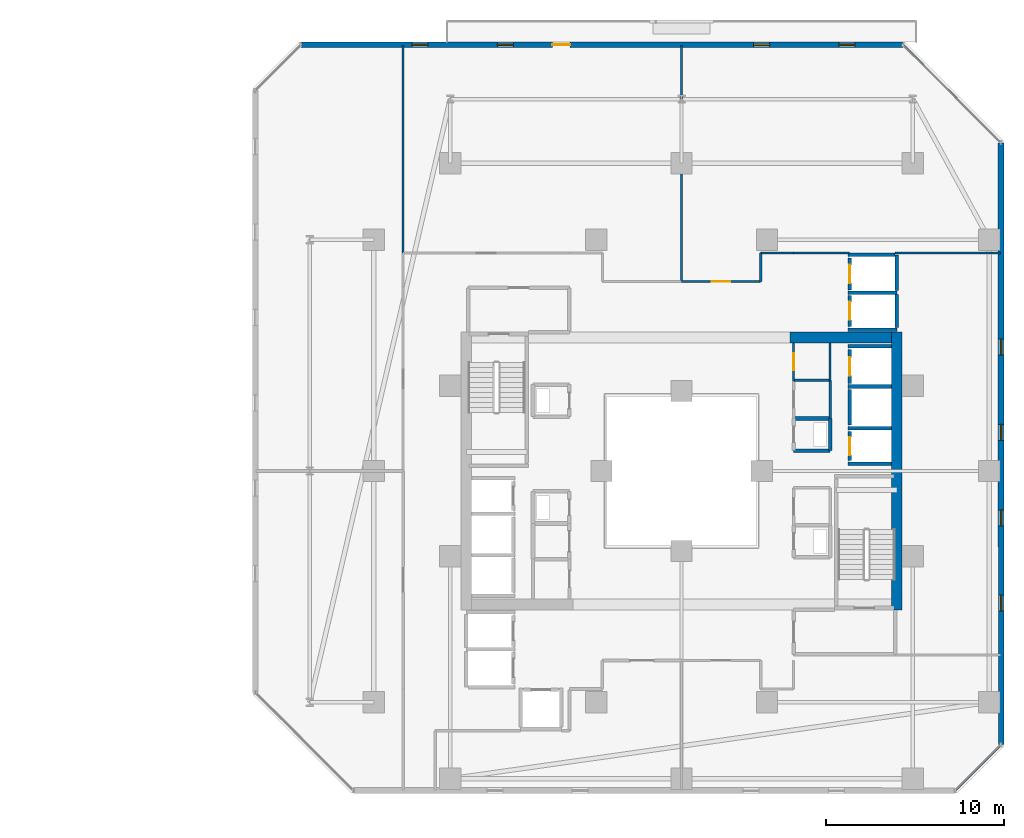
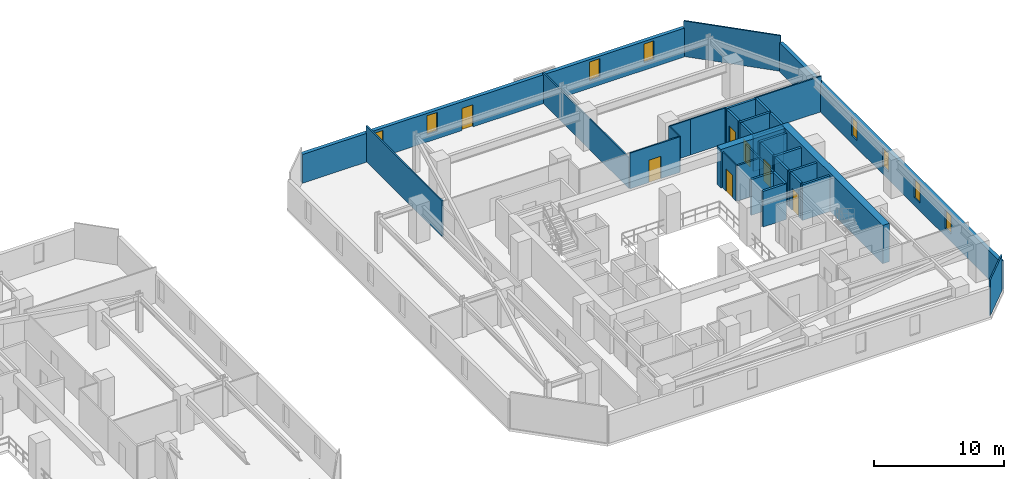
# One storey, part 22 of 29: 34 walls, 8 windows, 7 doors, 15 openings.
"""IFC4 building model written with IfcOpenShell, lengths in metres."""

import ifcopenshell
import ifcopenshell.guid

model = None  # the IFC model being written
_history = None  # IfcOwnerHistory: only IFC2X3 demands one
_inside = {}  # id of a spatial element -> (the spatial element, [elements in it])
_under = {}  # id of a project, library or spatial element -> (it, [spatial elements below it])
_declared = {}  # id of a project -> (the project, [libraries it declares])
_typed = {}  # id of a type object -> (the type object, [elements of that type])
_made_of = {}  # id of a material, layer set ... -> (it, [elements and type objects made of it])


def new_model(schema):
    """Start an empty IFC model of exactly this schema.

    Asked for "IFC4X3", IfcOpenShell would pick the latest addendum, in which some entities
    have other attributes; the version numbers below select the first issue.
    IFC2X3 requires an IfcOwnerHistory on every rooted entity: one is made here for all.
    """
    global model, _history
    if schema == "IFC4X3":
        model = ifcopenshell.file(schema_version=(4, 3, 0, 0))
    else:
        model = ifcopenshell.file(schema=schema)
    _inside.clear()
    _under.clear()
    _declared.clear()
    _typed.clear()
    _made_of.clear()
    _history = None
    if model.schema == "IFC2X3":
        org = make("IfcOrganization", Name="unknown")
        user = make(
            "IfcPersonAndOrganization",
            ThePerson=make("IfcPerson", FamilyName="unknown"),
            TheOrganization=org,
        )
        app = make(
            "IfcApplication",
            ApplicationDeveloper=org,
            Version="unknown",
            ApplicationFullName="unknown",
            ApplicationIdentifier="unknown",
        )
        _history = make(
            "IfcOwnerHistory",
            OwningUser=user,
            OwningApplication=app,
            ChangeAction="ADDED",
            CreationDate=0,
        )
    return model


def make(cls, **values):
    """One entity of the class cls with the attributes given. An attribute that is None is left unset."""
    return model.create_entity(
        cls, **{name: value for name, value in values.items() if value is not None}
    )


def rooted(cls, **values):
    """An entity with a GlobalId (a new one), such as an element, a storey or a relation."""
    return make(cls, GlobalId=ifcopenshell.guid.new(), OwnerHistory=_history, **values)


def si_unit(unit_type, name, prefix=None):
    """IfcSIUnit, for example si_unit("LENGTHUNIT", "METRE", prefix="MILLI")."""
    return make("IfcSIUnit", UnitType=unit_type, Prefix=prefix, Name=name)


def assignment(units):
    """IfcUnitAssignment: the units of a project."""
    return None if units is None else make("IfcUnitAssignment", Units=units)


def point(xyz):
    """IfcCartesianPoint."""
    return None if xyz is None else make("IfcCartesianPoint", Coordinates=xyz)


def direction(xyz):
    """IfcDirection."""
    return None if xyz is None else make("IfcDirection", DirectionRatios=xyz)


def frame(location, z_axis=None, x_axis=None):
    """IfcAxis2Placement3D, a coordinate frame: its origin and axes. An axis left out is left unset."""
    return make(
        "IfcAxis2Placement3D",
        Location=point(location),
        Axis=direction(z_axis),
        RefDirection=direction(x_axis),
    )


def frame_2d(location, x_axis=None):
    """IfcAxis2Placement2D, a coordinate frame in the plane: its origin and x axis."""
    return make(
        "IfcAxis2Placement2D", Location=point(location), RefDirection=direction(x_axis)
    )


def origin():
    """The frame at (0, 0, 0) with its axes left unset."""
    return frame((0.0, 0.0, 0.0))


def place(relative_to, where):
    """IfcLocalPlacement: puts the frame where relative to a parent placement (None: the world)."""
    return make(
        "IfcLocalPlacement", PlacementRelTo=relative_to, RelativePlacement=where
    )


def context(
    kind, dimensions, precision=None, world=None, true_north=None, identifier=None
):
    """IfcGeometricRepresentationContext, for example the 3D "Model" context."""
    return make(
        "IfcGeometricRepresentationContext",
        ContextIdentifier=identifier,
        ContextType=kind,
        CoordinateSpaceDimension=dimensions,
        Precision=precision,
        WorldCoordinateSystem=world,
        TrueNorth=true_north,
    )


def subcontext(parent, identifier, kind, view, scale=None):
    """IfcGeometricRepresentationSubContext, for example "Body" below "Model"."""
    return make(
        "IfcGeometricRepresentationSubContext",
        ContextIdentifier=identifier,
        ContextType=kind,
        ParentContext=parent,
        TargetScale=scale,
        TargetView=view,
    )


def project(units=None, contexts=None):
    """IfcProject with its units and contexts."""
    return rooted(
        "IfcProject",
        Name="project",
        RepresentationContexts=contexts,
        UnitsInContext=assignment(units),
    )


def spatial(cls, under=None, at=None, **own):
    """A site, building, storey or space (cls), placed at a placement, below another one or the project."""
    s = rooted(cls, ObjectPlacement=at, **own)
    if under is not None:
        _under.setdefault(under.id(), (under, []))[1].append(s)
    return s


def profile(cls, at=None, kind="AREA", **sizes):
    """A parametric profile (cls). Its sizes go by their IFC names, for example OverallWidth=200.0."""
    return make(cls, ProfileType=kind, Position=at, **sizes)


def rectangle(**sizes):
    """IfcRectangleProfileDef."""
    return profile("IfcRectangleProfileDef", **sizes)


def extrude(swept, where, along, depth):
    """IfcExtrudedAreaSolid: the profile swept, set in the frame where, extruded along a direction by depth."""
    return make(
        "IfcExtrudedAreaSolid",
        SweptArea=swept,
        Position=where,
        ExtrudedDirection=direction(along),
        Depth=depth,
    )


def shape(context_of_items, identifier, shape_type, items):
    """IfcShapeRepresentation: the items that make up one representation, for example the "Body"."""
    return make(
        "IfcShapeRepresentation",
        ContextOfItems=context_of_items,
        RepresentationIdentifier=identifier,
        RepresentationType=shape_type,
        Items=items,
    )


def material(Name=None, Category=None):
    """IfcMaterial."""
    return make("IfcMaterial", Name=Name, Category=Category)


def layer(
    of_material, thickness, ventilated=None, Name=None, Category=None, Priority=None
):
    """IfcMaterialLayer: one layer of a wall or slab, of a material (None: an air gap)."""
    return make(
        "IfcMaterialLayer",
        Material=of_material,
        LayerThickness=thickness,
        IsVentilated=ventilated,
        Name=Name,
        Category=Category,
        Priority=Priority,
    )


def layer_set(layers, Name=None):
    """IfcMaterialLayerSet."""
    return make("IfcMaterialLayerSet", MaterialLayers=layers, LayerSetName=Name)


def made_of(thing, what):
    """Note that an element or type object is made of a material, layer set ...; save() writes the relation."""
    if what is not None:
        _made_of.setdefault(what.id(), (what, []))[1].append(thing)
    return thing


def type_object(cls, material=None, **own):
    """A type object (cls), such as IfcWallType, which elements share."""
    return made_of(rooted(cls, **own), material)


def element(
    cls,
    number,
    at=None,
    inside=None,
    cuts=None,
    type_object=None,
    material=None,
    context=None,
    identifier="Body",
    shape_type=None,
    held_by="IfcProductDefinitionShape",
    body=None,
    shapes=None,
    **own,
):
    """One element of the class cls, such as IfcWall. Its Tag is "e" and its number.

    at: its placement. inside: the storey or other place that contains it. cuts: it is an
    opening in that element (IfcRelVoidsElement). A single representation is given by context,
    identifier, shape_type and body (its items); several are given by shapes. held_by: the class
    of the entity that holds the representations. save() writes the other relations.
    """
    e = rooted(cls, Tag="e%d" % number, ObjectPlacement=at, **own)
    if body is not None:
        shapes = [shape(context, identifier, shape_type, body)]
    if shapes is not None:
        e.Representation = make(held_by, Representations=shapes)
    if inside is not None:
        _inside.setdefault(inside.id(), (inside, []))[1].append(e)
    if cuts is not None:
        rooted(
            "IfcRelVoidsElement", RelatingBuildingElement=cuts, RelatedOpeningElement=e
        )
    if type_object is not None:
        _typed.setdefault(type_object.id(), (type_object, []))[1].append(e)
    return made_of(e, material)


def fill(opening, filler):
    """IfcRelFillsElement: the door or window that sits in an opening."""
    return rooted(
        "IfcRelFillsElement",
        RelatingOpeningElement=opening,
        RelatedBuildingElement=filler,
    )


def aggregate(whole, parts):
    """IfcRelAggregates: a whole, such as a stair, and the parts it consists of."""
    return rooted("IfcRelAggregates", RelatingObject=whole, RelatedObjects=parts)


def save(model, path):
    """Write the relations noted so far, then the file.

    IfcRelAggregates (storeys below a building ...), IfcRelContainedInSpatialStructure (elements
    in a storey), IfcRelDefinesByType, IfcRelAssociatesMaterial and IfcRelDeclares: one each for
    every whole, place, type object, material and project.
    """
    for whole, parts in _under.values():
        aggregate(whole, parts)
    for where, things in _inside.values():
        rooted(
            "IfcRelContainedInSpatialStructure",
            RelatedElements=things,
            RelatingStructure=where,
        )
    for kind, things in _typed.values():
        rooted("IfcRelDefinesByType", RelatedObjects=things, RelatingType=kind)
    for what, things in _made_of.values():
        rooted("IfcRelAssociatesMaterial", RelatedObjects=things, RelatingMaterial=what)
    for by, libraries in _declared.values():
        rooted("IfcRelDeclares", RelatingContext=by, RelatedDefinitions=libraries)
    model.write(path)


model = new_model("IFC4")

# Units and contexts
model_context = context("Model", 3, precision=1e-05, world=origin(), true_north=direction((0.0, 1.0)))
body_context = subcontext(model_context, "Body", "Model", "MODEL_VIEW")
ifc_project = project(units=[si_unit("LENGTHUNIT", "METRE"), si_unit("AREAUNIT", "SQUARE_METRE"), si_unit("VOLUMEUNIT", "CUBIC_METRE"), si_unit("PLANEANGLEUNIT", "RADIAN"), si_unit("MASSUNIT", "GRAM", prefix="KILO")], contexts=[model_context])

# Site, building, storey
site_placement = place(None, origin())
site = spatial("IfcSite", under=ifc_project, at=site_placement, CompositionType="ELEMENT")
building_placement = place(site_placement, origin())
building = spatial("IfcBuilding", under=site, at=building_placement, Name="Thornwick Lancets Civic Towers", CompositionType="ELEMENT")
storey_placement = place(building_placement, frame((0.0, 0.0, 83.699951171875)))
storey = spatial("IfcBuildingStorey", under=building, at=storey_placement, Name="L21", CompositionType="ELEMENT", Elevation=83.699951171875)

# Wall, opening, door
ifc_material_1 = material(Name="Concrete blockwork C40/50", Category="masonry")
ifc_layer_1 = layer(ifc_material_1, 0.199951171875, Name="Concrete blockwork C40/50")
ifc_layer_set_1 = layer_set([ifc_layer_1], Name="Concrete blockwork C40/50")
wall_type_1 = type_object("IfcWallType", Name="WALL_COMP_200", PredefinedType="STANDARD", material=ifc_layer_set_1)
wall_1_placement = place(storey_placement, frame((97.949951171875, 29.219970703125, 0.0), z_axis=(0.0, 0.0, 1.0), x_axis=(0.0, -1.0, 0.0)))
wall_1 = element("IfcWall", 1, at=wall_1_placement, inside=storey, type_object=wall_type_1, Name="L21 Hoistway Front Wall FL-B1", PredefinedType="STANDARD", context=body_context, shape_type="SweptSolid", body=[
    extrude(rectangle(XDim=1.639892578125, YDim=0.199951171875, at=frame_2d((0.81982421875, 0.0))), origin(), (0.0, 0.0, 1.0), 3.340087890625),
])
opening_1_placement = place(wall_1_placement, frame((0.31005859375, 0.0, 0.0)))
opening_1 = element("IfcOpeningElement", 2, at=opening_1_placement, cuts=wall_1, Name="Opening LD-FL-B1", PredefinedType="OPENING", context=body_context, shape_type="SweptSolid", body=[
    extrude(rectangle(XDim=1.02001953125, YDim=2.06005859375, at=frame_2d((0.510009765625, 1.030029296875))), frame((0.0, 0.10986328125, 0.0), z_axis=(0.0, -1.0, 0.0), x_axis=(1.0, 0.0, 0.0)), (0.0, 0.0, 1.0), 0.219970703125),
])
ifc_material_2 = material(Name="Brushed bronze stainless steel", Category="steel")
door_type_1 = type_object("IfcDoorType", Name="DOOR_LIFT_SLIDE", OperationType="SLIDING_TO_LEFT", PredefinedType="DOOR", material=ifc_material_2)
door_1_placement = place(opening_1_placement, origin())
door_1 = element("IfcDoor", 3, at=door_1_placement, inside=storey, type_object=door_type_1, Name="L21 Sliding Lift Landing Door LD-FL-B1", OperationType="SLIDING_TO_LEFT", OverallHeight=2.06005859375, OverallWidth=1.02001953125, PredefinedType="DOOR", context=body_context, shape_type="SweptSolid", body=[
    extrude(rectangle(XDim=1.02001953125, YDim=2.06005859375, at=frame_2d((0.510009765625, 1.030029296875))), frame((0.0, 0.02490234375, 0.0), z_axis=(0.0, -1.0, 0.0), x_axis=(1.0, 0.0, 0.0)), (0.0, 0.0, 1.0), 0.050048828125),
])
fill(opening_1, door_1)

# Wall
wall_2_placement = place(storey_placement, frame((97.949951171875, 31.570068359375, 0.0), z_axis=(0.0, 0.0, 1.0), x_axis=(0.0, -1.0, 0.0)))
element("IfcWall", 4, at=wall_2_placement, inside=storey, type_object=wall_type_1, Name="L21 Hoistway Front Wall PL-BH1", PredefinedType="STANDARD", context=body_context, shape_type="SweptSolid", body=[
    extrude(rectangle(XDim=1.989990234375, YDim=0.199951171875, at=frame_2d((0.9951171875, 0.0))), origin(), (0.0, 0.0, 1.0), 3.340087890625),
])

# Wall, opening, door
wall_3_placement = place(storey_placement, frame((97.949951171875, 33.820068359375, 0.0), z_axis=(0.0, 0.0, 1.0), x_axis=(0.0, -1.0, 0.0)))
wall_3 = element("IfcWall", 5, at=wall_3_placement, inside=storey, type_object=wall_type_1, Name="L21 Hoistway Front Wall PL-BL1", PredefinedType="STANDARD", context=body_context, shape_type="SweptSolid", body=[
    extrude(rectangle(XDim=1.89013671875, YDim=0.199951171875, at=frame_2d((0.945068359375, 0.0))), origin(), (0.0, 0.0, 1.0), 3.340087890625),
])
opening_2_placement = place(wall_3_placement, frame((0.43505859375, 0.0, 0.0)))
opening_2 = element("IfcOpeningElement", 6, at=opening_2_placement, cuts=wall_3, Name="Opening LD-PL-BL1", PredefinedType="OPENING", context=body_context, shape_type="SweptSolid", body=[
    extrude(rectangle(XDim=1.02001953125, YDim=2.06005859375, at=frame_2d((0.510009765625, 1.030029296875))), frame((0.0, 0.10986328125, 0.0), z_axis=(0.0, -1.0, 0.0), x_axis=(1.0, 0.0, 0.0)), (0.0, 0.0, 1.0), 0.219970703125),
])
door_2_placement = place(opening_2_placement, origin())
door_2 = element("IfcDoor", 7, at=door_2_placement, inside=storey, type_object=door_type_1, Name="L21 Sliding Lift Landing Door LD-PL-BL1", OperationType="SLIDING_TO_LEFT", OverallHeight=2.06005859375, OverallWidth=1.02001953125, PredefinedType="DOOR", context=body_context, shape_type="SweptSolid", body=[
    extrude(rectangle(XDim=1.02001953125, YDim=2.06005859375, at=frame_2d((0.510009765625, 1.030029296875))), frame((0.0, 0.02490234375, 0.0), z_axis=(0.0, -1.0, 0.0), x_axis=(1.0, 0.0, 0.0)), (0.0, 0.0, 1.0), 0.050048828125),
])
fill(opening_2, door_2)

wall_4_placement = place(storey_placement, frame((97.949951171875, 36.8701171875, 0.0), z_axis=(0.0, 0.0, 1.0), x_axis=(0.0, -1.0, 0.0)))
wall_4 = element("IfcWall", 8, at=wall_4_placement, inside=storey, type_object=wall_type_1, Name="L21 Hoistway Front Wall PL-BL2", PredefinedType="STANDARD", context=body_context, shape_type="SweptSolid", body=[
    extrude(rectangle(XDim=1.740234375, YDim=0.199951171875, at=frame_2d((0.8701171875, 0.0))), origin(), (0.0, 0.0, 1.0), 3.340087890625),
])
opening_3_placement = place(wall_4_placement, frame((0.360107421875, 0.0, 0.0)))
opening_3 = element("IfcOpeningElement", 9, at=opening_3_placement, cuts=wall_4, Name="Opening LD-PL-BL2", PredefinedType="OPENING", context=body_context, shape_type="SweptSolid", body=[
    extrude(rectangle(XDim=1.02001953125, YDim=2.06005859375, at=frame_2d((0.510009765625, 1.030029296875))), frame((0.0, 0.10986328125, 0.0), z_axis=(0.0, -1.0, 0.0), x_axis=(1.0, 0.0, 0.0)), (0.0, 0.0, 1.0), 0.219970703125),
])
door_3_placement = place(opening_3_placement, origin())
door_3 = element("IfcDoor", 10, at=door_3_placement, inside=storey, type_object=door_type_1, Name="L21 Sliding Lift Landing Door LD-PL-BL2", OperationType="SLIDING_TO_LEFT", OverallHeight=2.06005859375, OverallWidth=1.02001953125, PredefinedType="DOOR", context=body_context, shape_type="SweptSolid", body=[
    extrude(rectangle(XDim=1.02001953125, YDim=2.06005859375, at=frame_2d((0.510009765625, 1.030029296875))), frame((0.0, 0.02490234375, 0.0), z_axis=(0.0, -1.0, 0.0), x_axis=(1.0, 0.0, 0.0)), (0.0, 0.0, 1.0), 0.050048828125),
])
fill(opening_3, door_3)

wall_5_placement = place(storey_placement, frame((97.949951171875, 38.969970703125, 0.0), z_axis=(0.0, 0.0, 1.0), x_axis=(0.0, -1.0, 0.0)))
wall_5 = element("IfcWall", 11, at=wall_5_placement, inside=storey, type_object=wall_type_1, Name="L21 Hoistway Front Wall PL-BL3", PredefinedType="STANDARD", context=body_context, shape_type="SweptSolid", body=[
    extrude(rectangle(XDim=1.7900390625, YDim=0.199951171875, at=frame_2d((0.89501953125, 0.0))), origin(), (0.0, 0.0, 1.0), 3.340087890625),
])
opening_4_placement = place(wall_5_placement, frame((0.385009765625, 0.0, 0.0)))
opening_4 = element("IfcOpeningElement", 12, at=opening_4_placement, cuts=wall_5, Name="Opening LD-PL-BL3", PredefinedType="OPENING", context=body_context, shape_type="SweptSolid", body=[
    extrude(rectangle(XDim=1.02001953125, YDim=2.06005859375, at=frame_2d((0.510009765625, 1.030029296875))), frame((0.0, 0.10986328125, 0.0), z_axis=(0.0, -1.0, 0.0), x_axis=(1.0, 0.0, 0.0)), (0.0, 0.0, 1.0), 0.219970703125),
])
door_4_placement = place(opening_4_placement, origin())
door_4 = element("IfcDoor", 13, at=door_4_placement, inside=storey, type_object=door_type_1, Name="L21 Sliding Lift Landing Door LD-PL-BL3", OperationType="SLIDING_TO_LEFT", OverallHeight=2.06005859375, OverallWidth=1.02001953125, PredefinedType="DOOR", context=body_context, shape_type="SweptSolid", body=[
    extrude(rectangle(XDim=1.02001953125, YDim=2.06005859375, at=frame_2d((0.510009765625, 1.030029296875))), frame((0.0, 0.02490234375, 0.0), z_axis=(0.0, -1.0, 0.0), x_axis=(1.0, 0.0, 0.0)), (0.0, 0.0, 1.0), 0.050048828125),
])
fill(opening_4, door_4)

# Walls
for number, where, z_axis, x_axis, name in (
    (14, (97.85205078125, 29.39990234375, 0.0), (0.0, 0.0, 1.0), (1.0, 0.0, 0.0), "L21 Hoistway Shaft Wall FL-B1 N"),
    (15, (97.85205078125, 27.39990234375, 0.0), (0.0, 0.0, 1.0), (1.0, 0.0, 0.0), "L21 Hoistway Shaft Wall FL-B1 S"),
    (16, (97.85205078125, 31.75, 0.0), (0.0, 0.0, 1.0), (1.0, 0.0, 0.0), "L21 Hoistway Shaft Wall PL-BH1 N"),
    (17, (97.85205078125, 34.0, 0.0), (0.0, 0.0, 1.0), (1.0, 0.0, 0.0), "L21 Hoistway Shaft Wall PL-BL1 N"),
):
    element("IfcWall", number, at=place(storey_placement, frame(where, z_axis=z_axis, x_axis=x_axis)), inside=storey, type_object=wall_type_1, Name=name, PredefinedType="STANDARD", context=body_context, shape_type="SweptSolid", body=[
        extrude(rectangle(XDim=2.43603515625, YDim=0.199951171875, at=frame_2d((1.218017578125, 0.0))), origin(), (0.0, 0.0, 1.0), 3.340087890625),
    ])
for number, where, z_axis, x_axis, name in (
    (18, (97.85205078125, 37.02490234375, 0.0), (0.0, 0.0, 1.0), (1.0, 0.0, 0.0), "L21 Hoistway Shaft Wall PL-BL2 N"),
    (19, (97.85205078125, 34.949951171875, 0.0), (0.0, 0.0, 1.0), (1.0, 0.0, 0.0), "L21 Hoistway Shaft Wall PL-BL2 S"),
):
    element("IfcWall", number, at=place(storey_placement, frame(where, z_axis=z_axis, x_axis=x_axis)), inside=storey, type_object=wall_type_1, Name=name, PredefinedType="STANDARD", context=body_context, shape_type="SweptSolid", body=[
        extrude(rectangle(XDim=2.745849609375, YDim=0.199951171875, at=frame_2d((1.373046875, 0.0))), origin(), (0.0, 0.0, 1.0), 3.340087890625),
    ])
wall_6_placement = place(storey_placement, frame((100.60009765625, 35.06201171875, 0.0), z_axis=(0.0, 0.0, 1.0), x_axis=(0.0, 1.0, 0.0)))
element("IfcWall", 20, at=wall_6_placement, inside=storey, type_object=wall_type_1, Name="L21 Hoistway Shaft Wall PL-BL2 E", PredefinedType="STANDARD", context=body_context, shape_type="SweptSolid", body=[
    extrude(rectangle(XDim=1.85595703125, YDim=0.199951171875, at=frame_2d((0.927978515625, 0.0))), origin(), (0.0, 0.0, 1.0), 3.340087890625),
])
wall_7_placement = place(storey_placement, frame((100.60009765625, 37.132080078125, 0.0), z_axis=(0.0, 0.0, 1.0), x_axis=(0.0, 1.0, 0.0)))
element("IfcWall", 21, at=wall_7_placement, inside=storey, type_object=wall_type_1, Name="L21 Hoistway Shaft Wall PL-BL2 E", PredefinedType="STANDARD", context=body_context, shape_type="SweptSolid", body=[
    extrude(rectangle(XDim=2.015869140625, YDim=0.199951171875, at=frame_2d((1.0078125, 0.0))), origin(), (0.0, 0.0, 1.0), 3.340087890625),
])
wall_8_placement = place(storey_placement, frame((97.85205078125, 39.14990234375, 0.0), z_axis=(0.0, 0.0, 1.0), x_axis=(1.0, 0.0, 0.0)))
element("IfcWall", 22, at=wall_8_placement, inside=storey, type_object=wall_type_1, Name="L21 Hoistway Shaft Wall PL-BL3 N", PredefinedType="STANDARD", context=body_context, shape_type="SweptSolid", body=[
    extrude(rectangle(XDim=2.635986328125, YDim=0.199951171875, at=frame_2d((1.31787109375, 0.0))), origin(), (0.0, 0.0, 1.0), 3.340087890625),
])
wall_9_placement = place(storey_placement, frame((94.800048828125, 28.14990234375, 0.0), z_axis=(0.0, 0.0, 1.0), x_axis=(1.0, 0.0, 0.0)))
element("IfcWall", 23, at=wall_9_placement, inside=storey, type_object=wall_type_1, Name="L21 Partition L21-B-DUCT1 E1", PredefinedType="STANDARD", context=body_context, shape_type="SweptSolid", body=[
    extrude(rectangle(XDim=2.050048828125, YDim=0.199951171875, at=frame_2d((1.02490234375, 0.0))), origin(), (0.0, 0.0, 1.0), 3.340087890625),
])
wall_10_placement = place(storey_placement, frame((96.85009765625, 28.14990234375, 0.0), z_axis=(0.0, 0.0, 1.0), x_axis=(0.0, 1.0, 0.0)))
element("IfcWall", 24, at=wall_10_placement, inside=storey, type_object=wall_type_1, Name="L21 Partition L21-B-DUCT1 E2", PredefinedType="STANDARD", context=body_context, shape_type="SweptSolid", body=[
    extrude(rectangle(XDim=1.800048828125, YDim=0.199951171875, at=frame_2d((0.89990234375, 0.0))), origin(), (0.0, 0.0, 1.0), 3.340087890625),
])
wall_11_placement = place(storey_placement, frame((96.85009765625, 29.949951171875, 0.0), z_axis=(0.0, 0.0, 1.0), x_axis=(-1.0, 0.0, 0.0)))
element("IfcWall", 25, at=wall_11_placement, inside=storey, type_object=wall_type_1, Name="L21 Partition L21-B-DUCT1 E3", PredefinedType="STANDARD", context=body_context, shape_type="SweptSolid", body=[
    extrude(rectangle(XDim=2.050048828125, YDim=0.199951171875, at=frame_2d((1.02490234375, 0.0))), origin(), (0.0, 0.0, 1.0), 3.340087890625),
])
ifc_material_3 = material(Name="Concrete C60/75", Category="concrete")
ifc_layer_2 = layer(ifc_material_3, 0.60009765625, Name="Concrete C60/75")
ifc_layer_set_2 = layer_set([ifc_layer_2], Name="Concrete C60/75")
wall_type_2 = type_object("IfcWallType", Name="WALL_CORE_600", PredefinedType="SHEAR", material=ifc_layer_set_2)
wall_12_placement = place(storey_placement, frame((100.60009765625, 19.199951171875, 0.0), z_axis=(0.0, 0.0, 1.0), x_axis=(0.0, 1.0, 0.0)))
element("IfcWall", 26, at=wall_12_placement, inside=storey, type_object=wall_type_2, Name="L21 Split Core B1 Shear Wall E", PredefinedType="SHEAR", context=body_context, shape_type="SweptSolid", body=[
    extrude(rectangle(XDim=15.60009765625, YDim=0.60009765625, at=frame_2d((7.800048828125, 0.0))), origin(), (0.0, 0.0, 1.0), 3.60009765625),
])
wall_13_placement = place(storey_placement, frame((94.60009765625, 34.5, 0.0), z_axis=(0.0, 0.0, 1.0), x_axis=(1.0, 0.0, 0.0)))
element("IfcWall", 27, at=wall_13_placement, inside=storey, type_object=wall_type_2, Name="L21 Split Core B1 Shear Wall N", PredefinedType="SHEAR", context=body_context, shape_type="SweptSolid", body=[
    extrude(rectangle(XDim=5.699951171875, YDim=0.60009765625, at=frame_2d((2.85009765625, 0.0))), origin(), (0.0, 0.0, 1.0), 3.60009765625),
])

# Wall, openings, windows
ifc_material_4 = material(Name="Insulated buff terracotta rainscreen on concrete C40/50", Category="masonry")
ifc_layer_3 = layer(ifc_material_4, 0.320068359375, Name="Insulated buff terracotta rainscreen on concrete C40/50")
ifc_layer_set_3 = layer_set([ifc_layer_3], Name="Insulated buff terracotta rainscreen on concrete C40/50")
wall_type_3 = type_object("IfcWallType", Name="WALL_EXT_TERRA_320", PredefinedType="STANDARD", material=ifc_layer_set_3)
wall_14_placement = place(storey_placement, frame((106.464599609375, 11.61865234375, 0.0), z_axis=(0.0, 0.0, 1.0), x_axis=(-0.000281454314, 0.999999960392, 0.0)))
wall_14 = element("IfcWall", 28, at=wall_14_placement, inside=storey, type_object=wall_type_3, Name="L21 Tower B Terracotta Facade Wall E2", PredefinedType="STANDARD", context=body_context, shape_type="SweptSolid", body=[
    extrude(rectangle(XDim=33.82958984375, YDim=0.320068359375, at=frame_2d((16.914794921875, 0.0))), origin(), (0.0, 0.0, 1.0), 2.699951171875),
])
opening_5_placement = place(wall_14_placement, frame((7.5, 0.0, 0.719970703125)))
opening_5 = element("IfcOpeningElement", 29, at=opening_5_placement, cuts=wall_14, Name="Opening WL-01", PredefinedType="OPENING", context=body_context, shape_type="SweptSolid", body=[
    extrude(rectangle(XDim=0.89990234375, YDim=1.75, at=frame_2d((0.449951171875, 0.875))), frame((0.0, 0.169921875, 0.0), z_axis=(0.0, -1.0, 0.0), x_axis=(1.0, 0.0, 0.0)), (0.0, 0.0, 1.0), 0.340087890625),
])
opening_6_placement = place(wall_14_placement, frame((12.300048828125, 0.0, 0.719970703125)))
opening_6 = element("IfcOpeningElement", 30, at=opening_6_placement, cuts=wall_14, Name="Opening WL-01", PredefinedType="OPENING", context=body_context, shape_type="SweptSolid", body=[
    extrude(rectangle(XDim=0.89990234375, YDim=1.75, at=frame_2d((0.449951171875, 0.875))), frame((0.0, 0.169921875, 0.0), z_axis=(0.0, -1.0, 0.0), x_axis=(1.0, 0.0, 0.0)), (0.0, 0.0, 1.0), 0.340087890625),
])
opening_7_placement = place(wall_14_placement, frame((17.10009765625, 0.0, 0.719970703125)))
opening_7 = element("IfcOpeningElement", 31, at=opening_7_placement, cuts=wall_14, Name="Opening WL-01", PredefinedType="OPENING", context=body_context, shape_type="SweptSolid", body=[
    extrude(rectangle(XDim=0.89990234375, YDim=1.75, at=frame_2d((0.449951171875, 0.875))), frame((0.0, 0.169921875, 0.0), z_axis=(0.0, -1.0, 0.0), x_axis=(1.0, 0.0, 0.0)), (0.0, 0.0, 1.0), 0.340087890625),
])
opening_8_placement = place(wall_14_placement, frame((21.89990234375, 0.0, 0.719970703125)))
opening_8 = element("IfcOpeningElement", 32, at=opening_8_placement, cuts=wall_14, Name="Opening WL-01", PredefinedType="OPENING", context=body_context, shape_type="SweptSolid", body=[
    extrude(rectangle(XDim=0.89990234375, YDim=1.75, at=frame_2d((0.449951171875, 0.875))), frame((0.0, 0.169921875, 0.0), z_axis=(0.0, -1.0, 0.0), x_axis=(1.0, 0.0, 0.0)), (0.0, 0.0, 1.0), 0.340087890625),
])
ifc_material_5 = material(Name="Clear low-e double glazing in bronze frame", Category="glass")
window_type = type_object("IfcWindowType", Name="WIN_LANCET_900", PartitioningType="SINGLE_PANEL", PredefinedType="WINDOW", material=ifc_material_5)
window_1_placement = place(opening_5_placement, origin())
window_1 = element("IfcWindow", 33, at=window_1_placement, inside=storey, type_object=window_type, Name="L21 Tower B Staggered Lancet Window E2-1", OverallHeight=1.75, OverallWidth=0.89990234375, PartitioningType="SINGLE_PANEL", PredefinedType="WINDOW", context=body_context, shape_type="SweptSolid", body=[
    extrude(rectangle(XDim=0.89990234375, YDim=1.75, at=frame_2d((0.449951171875, 0.875))), frame((0.0, 0.030029296875, 0.0), z_axis=(0.0, -1.0, 0.0), x_axis=(1.0, 0.0, 0.0)), (0.0, 0.0, 1.0), 0.06005859375),
])
fill(opening_5, window_1)
window_2_placement = place(opening_6_placement, origin())
window_2 = element("IfcWindow", 34, at=window_2_placement, inside=storey, type_object=window_type, Name="L21 Tower B Staggered Lancet Window E2-2", OverallHeight=1.75, OverallWidth=0.89990234375, PartitioningType="SINGLE_PANEL", PredefinedType="WINDOW", context=body_context, shape_type="SweptSolid", body=[
    extrude(rectangle(XDim=0.89990234375, YDim=1.75, at=frame_2d((0.449951171875, 0.875))), frame((0.0, 0.030029296875, 0.0), z_axis=(0.0, -1.0, 0.0), x_axis=(1.0, 0.0, 0.0)), (0.0, 0.0, 1.0), 0.06005859375),
])
fill(opening_6, window_2)
window_3_placement = place(opening_7_placement, origin())
window_3 = element("IfcWindow", 35, at=window_3_placement, inside=storey, type_object=window_type, Name="L21 Tower B Staggered Lancet Window E2-3", OverallHeight=1.75, OverallWidth=0.89990234375, PartitioningType="SINGLE_PANEL", PredefinedType="WINDOW", context=body_context, shape_type="SweptSolid", body=[
    extrude(rectangle(XDim=0.89990234375, YDim=1.75, at=frame_2d((0.449951171875, 0.875))), frame((0.0, 0.030029296875, 0.0), z_axis=(0.0, -1.0, 0.0), x_axis=(1.0, 0.0, 0.0)), (0.0, 0.0, 1.0), 0.06005859375),
])
fill(opening_7, window_3)
window_4_placement = place(opening_8_placement, origin())
window_4 = element("IfcWindow", 36, at=window_4_placement, inside=storey, type_object=window_type, Name="L21 Tower B Staggered Lancet Window E2-4", OverallHeight=1.75, OverallWidth=0.89990234375, PartitioningType="SINGLE_PANEL", PredefinedType="WINDOW", context=body_context, shape_type="SweptSolid", body=[
    extrude(rectangle(XDim=0.89990234375, YDim=1.75, at=frame_2d((0.449951171875, 0.875))), frame((0.0, 0.030029296875, 0.0), z_axis=(0.0, -1.0, 0.0), x_axis=(1.0, 0.0, 0.0)), (0.0, 0.0, 1.0), 0.06005859375),
])
fill(opening_8, window_4)

# Wall, openings, door, windows
wall_15_placement = place(storey_placement, frame((100.9482421875, 50.955078125, 0.0), z_axis=(0.0, 0.0, 1.0), x_axis=(-0.999999960392, 0.000281454314, 0.0)))
wall_15 = element("IfcWall", 37, at=wall_15_placement, inside=storey, type_object=wall_type_3, Name="L21 Tower B Terracotta Facade Wall E4", PredefinedType="STANDARD", context=body_context, shape_type="SweptSolid", body=[
    extrude(rectangle(XDim=33.82958984375, YDim=0.320068359375, at=frame_2d((16.914794921875, 0.0))), origin(), (0.0, 0.0, 1.0), 2.699951171875),
])
opening_9_placement = place(wall_15_placement, frame((18.71484375, 0.0, 0.0)))
opening_9 = element("IfcOpeningElement", 38, at=opening_9_placement, cuts=wall_15, Name="Opening D-BL-L21-BN", PredefinedType="OPENING", context=body_context, shape_type="SweptSolid", body=[
    extrude(rectangle(XDim=1.0, YDim=2.080078125, at=frame_2d((0.5, 1.0400390625))), frame((0.0, 0.169921875, 0.0), z_axis=(0.0, -1.0, 0.0), x_axis=(1.0, 0.0, 0.0)), (0.0, 0.0, 1.0), 0.340087890625),
])
opening_10_placement = place(wall_15_placement, frame((2.699951171875, 0.0, 0.719970703125)))
opening_10 = element("IfcOpeningElement", 39, at=opening_10_placement, cuts=wall_15, Name="Opening WL-01", PredefinedType="OPENING", context=body_context, shape_type="SweptSolid", body=[
    extrude(rectangle(XDim=0.89990234375, YDim=1.75, at=frame_2d((0.449951171875, 0.875))), frame((0.0, 0.169921875, 0.0), z_axis=(0.0, -1.0, 0.0), x_axis=(1.0, 0.0, 0.0)), (0.0, 0.0, 1.0), 0.340087890625),
])
opening_11_placement = place(wall_15_placement, frame((7.5, 0.0, 0.719970703125)))
opening_11 = element("IfcOpeningElement", 40, at=opening_11_placement, cuts=wall_15, Name="Opening WL-01", PredefinedType="OPENING", context=body_context, shape_type="SweptSolid", body=[
    extrude(rectangle(XDim=0.89990234375, YDim=1.75, at=frame_2d((0.449951171875, 0.875))), frame((0.0, 0.169921875, 0.0), z_axis=(0.0, -1.0, 0.0), x_axis=(1.0, 0.0, 0.0)), (0.0, 0.0, 1.0), 0.340087890625),
])
opening_12_placement = place(wall_15_placement, frame((21.89990234375, 0.0, 0.719970703125)))
opening_12 = element("IfcOpeningElement", 41, at=opening_12_placement, cuts=wall_15, Name="Opening WL-01", PredefinedType="OPENING", context=body_context, shape_type="SweptSolid", body=[
    extrude(rectangle(XDim=0.89990234375, YDim=1.75, at=frame_2d((0.449951171875, 0.875))), frame((0.0, 0.169921875, 0.0), z_axis=(0.0, -1.0, 0.0), x_axis=(1.0, 0.0, 0.0)), (0.0, 0.0, 1.0), 0.340087890625),
])
opening_13_placement = place(wall_15_placement, frame((26.699951171875, 0.0, 0.719970703125)))
opening_13 = element("IfcOpeningElement", 42, at=opening_13_placement, cuts=wall_15, Name="Opening WL-01", PredefinedType="OPENING", context=body_context, shape_type="SweptSolid", body=[
    extrude(rectangle(XDim=0.89990234375, YDim=1.75, at=frame_2d((0.449951171875, 0.875))), frame((0.0, 0.169921875, 0.0), z_axis=(0.0, -1.0, 0.0), x_axis=(1.0, 0.0, 0.0)), (0.0, 0.0, 1.0), 0.340087890625),
])
ifc_material_6 = material(Name="Thermally broken glazed loggia doorset")
door_type_2 = type_object("IfcDoorType", Name="DOOR_BALC_1000", OperationType="NOTDEFINED", PredefinedType="DOOR", material=ifc_material_6)
door_5_placement = place(opening_9_placement, origin())
door_5 = element("IfcDoor", 43, at=door_5_placement, inside=storey, type_object=door_type_2, Name="L21 Tower B Loggia Balcony Door N", OperationType="SINGLE_SWING_RIGHT", OverallHeight=2.080078125, OverallWidth=1.0, PredefinedType="DOOR", context=body_context, shape_type="SweptSolid", body=[
    extrude(rectangle(XDim=1.0, YDim=2.080078125, at=frame_2d((0.5, 1.0400390625))), frame((0.0, 0.02490234375, 0.0), z_axis=(0.0, -1.0, 0.0), x_axis=(1.0, 0.0, 0.0)), (0.0, 0.0, 1.0), 0.050048828125),
])
fill(opening_9, door_5)
window_5_placement = place(opening_10_placement, origin())
window_5 = element("IfcWindow", 44, at=window_5_placement, inside=storey, type_object=window_type, Name="L21 Tower B Staggered Lancet Window E4-1", OverallHeight=1.75, OverallWidth=0.89990234375, PartitioningType="SINGLE_PANEL", PredefinedType="WINDOW", context=body_context, shape_type="SweptSolid", body=[
    extrude(rectangle(XDim=0.89990234375, YDim=1.75, at=frame_2d((0.449951171875, 0.875))), frame((0.0, 0.030029296875, 0.0), z_axis=(0.0, -1.0, 0.0), x_axis=(1.0, 0.0, 0.0)), (0.0, 0.0, 1.0), 0.06005859375),
])
fill(opening_10, window_5)
window_6_placement = place(opening_11_placement, origin())
window_6 = element("IfcWindow", 45, at=window_6_placement, inside=storey, type_object=window_type, Name="L21 Tower B Staggered Lancet Window E4-2", OverallHeight=1.75, OverallWidth=0.89990234375, PartitioningType="SINGLE_PANEL", PredefinedType="WINDOW", context=body_context, shape_type="SweptSolid", body=[
    extrude(rectangle(XDim=0.89990234375, YDim=1.75, at=frame_2d((0.449951171875, 0.875))), frame((0.0, 0.030029296875, 0.0), z_axis=(0.0, -1.0, 0.0), x_axis=(1.0, 0.0, 0.0)), (0.0, 0.0, 1.0), 0.06005859375),
])
fill(opening_11, window_6)
window_7_placement = place(opening_12_placement, origin())
window_7 = element("IfcWindow", 46, at=window_7_placement, inside=storey, type_object=window_type, Name="L21 Tower B Staggered Lancet Window E4-3", OverallHeight=1.75, OverallWidth=0.89990234375, PartitioningType="SINGLE_PANEL", PredefinedType="WINDOW", context=body_context, shape_type="SweptSolid", body=[
    extrude(rectangle(XDim=0.89990234375, YDim=1.75, at=frame_2d((0.449951171875, 0.875))), frame((0.0, 0.030029296875, 0.0), z_axis=(0.0, -1.0, 0.0), x_axis=(1.0, 0.0, 0.0)), (0.0, 0.0, 1.0), 0.06005859375),
])
fill(opening_12, window_7)
window_8_placement = place(opening_13_placement, origin())
window_8 = element("IfcWindow", 47, at=window_8_placement, inside=storey, type_object=window_type, Name="L21 Tower B Staggered Lancet Window E4-4", OverallHeight=1.75, OverallWidth=0.89990234375, PartitioningType="SINGLE_PANEL", PredefinedType="WINDOW", context=body_context, shape_type="SweptSolid", body=[
    extrude(rectangle(XDim=0.89990234375, YDim=1.75, at=frame_2d((0.449951171875, 0.875))), frame((0.0, 0.030029296875, 0.0), z_axis=(0.0, -1.0, 0.0), x_axis=(1.0, 0.0, 0.0)), (0.0, 0.0, 1.0), 0.06005859375),
])
fill(opening_13, window_8)

# Wall, opening, door
ifc_material_7 = material(Name="Acoustic gypsum board partition")
ifc_layer_4 = layer(ifc_material_7, 0.1201171875, Name="Acoustic gypsum board partition")
ifc_layer_set_4 = layer_set([ifc_layer_4], Name="Acoustic gypsum board partition")
wall_type_4 = type_object("IfcWallType", Name="WALL_PART_120", PredefinedType="PARTITIONING", material=ifc_layer_set_4)
wall_16_placement = place(storey_placement, frame((94.800048828125, 32.10009765625, 0.0), z_axis=(0.0, 0.0, 1.0), x_axis=(0.0, 1.0, 0.0)))
wall_16 = element("IfcWall", 48, at=wall_16_placement, inside=storey, type_object=wall_type_4, Name="L21 Partition L21-B-ITR E1", PredefinedType="PARTITIONING", context=body_context, shape_type="SweptSolid", body=[
    extrude(rectangle(XDim=2.099853515625, YDim=0.1201171875, at=frame_2d((1.0498046875, 0.0))), origin(), (0.0, 0.0, 1.0), 3.340087890625),
])
opening_14_placement = place(wall_16_placement, frame((0.574951171875, 0.0, 0.0)))
opening_14 = element("IfcOpeningElement", 49, at=opening_14_placement, cuts=wall_16, Name="Opening D-L21-0988", PredefinedType="OPENING", context=body_context, shape_type="SweptSolid", body=[
    extrude(rectangle(XDim=0.949951171875, YDim=2.10009765625, at=frame_2d((0.47509765625, 1.050048828125))), frame((0.0, 0.070068359375, 0.0), z_axis=(0.0, -1.0, 0.0), x_axis=(1.0, 0.0, 0.0)), (0.0, 0.0, 1.0), 0.14013671875),
])
ifc_material_8 = material(Name="European oak acoustic doorset")
door_type_3 = type_object("IfcDoorType", Name="DOOR_OFFICE_950", OperationType="NOTDEFINED", PredefinedType="DOOR", material=ifc_material_8)
door_6_placement = place(opening_14_placement, origin())
door_6 = element("IfcDoor", 50, at=door_6_placement, inside=storey, type_object=door_type_3, Name="L21 Tower B Comms Patch Room Door", OperationType="SINGLE_SWING_LEFT", OverallHeight=2.10009765625, OverallWidth=0.949951171875, PredefinedType="DOOR", context=body_context, shape_type="SweptSolid", body=[
    extrude(rectangle(XDim=0.949951171875, YDim=2.10009765625, at=frame_2d((0.47509765625, 1.050048828125))), frame((0.0, 0.02490234375, 0.0), z_axis=(0.0, -1.0, 0.0), x_axis=(1.0, 0.0, 0.0)), (0.0, 0.0, 1.0), 0.050048828125),
])
fill(opening_14, door_6)

# Walls
wall_17_placement = place(storey_placement, frame((96.85009765625, 34.199951171875, 0.0), z_axis=(0.0, 0.0, 1.0), x_axis=(0.0, -1.0, 0.0)))
element("IfcWall", 51, at=wall_17_placement, inside=storey, type_object=wall_type_4, Name="L21 Partition L21-B-ITR E3", PredefinedType="PARTITIONING", context=body_context, shape_type="SweptSolid", body=[
    extrude(rectangle(XDim=2.099853515625, YDim=0.1201171875, at=frame_2d((1.0498046875, 0.0))), origin(), (0.0, 0.0, 1.0), 3.340087890625),
])
wall_18_placement = place(storey_placement, frame((106.419921875, 11.57470703125, 0.0), z_axis=(0.0, 0.0, 1.0), x_axis=(-0.707106781187, -0.707106781187, 0.0)))
element("IfcWall", 52, at=wall_18_placement, inside=storey, type_object=wall_type_4, Name="L21 Partition L21-B-W1 E7", PredefinedType="PARTITIONING", context=body_context, shape_type="SweptSolid", body=[
    extrude(rectangle(XDim=3.52783203125, YDim=0.1201171875, at=frame_2d((1.763916015625, 0.0))), origin(), (0.0, 0.0, 1.0), 3.340087890625),
])
wall_19_placement = place(storey_placement, frame((106.419921875, 39.25, 0.0), z_axis=(0.0, 0.0, 1.0), x_axis=(-1.0, 0.0, 0.0)))
element("IfcWall", 53, at=wall_19_placement, inside=storey, type_object=wall_type_4, Name="L21 Partition L21-B-E1 E2", PredefinedType="PARTITIONING", context=body_context, shape_type="SweptSolid", body=[
    extrude(rectangle(XDim=5.931884765625, YDim=0.1201171875, at=frame_2d((2.9658203125, 0.0))), origin(), (0.0, 0.0, 1.0), 3.340087890625),
])
wall_20_placement = place(storey_placement, frame((97.949951171875, 39.25, 0.0), z_axis=(0.0, 0.0, 1.0), x_axis=(-1.0, 0.0, 0.0)))
element("IfcWall", 54, at=wall_20_placement, inside=storey, type_object=wall_type_4, Name="L21 Partition L21-B-E1 E3", PredefinedType="PARTITIONING", context=body_context, shape_type="SweptSolid", body=[
    extrude(rectangle(XDim=3.14990234375, YDim=0.1201171875, at=frame_2d((1.574951171875, 0.0))), origin(), (0.0, 0.0, 1.0), 3.340087890625),
])
wall_21_placement = place(storey_placement, frame((94.800048828125, 39.25, 0.0), z_axis=(0.0, 0.0, 1.0), x_axis=(-1.0, 0.0, 0.0)))
element("IfcWall", 55, at=wall_21_placement, inside=storey, type_object=wall_type_4, Name="L21 Partition L21-B-E1 E4", PredefinedType="PARTITIONING", context=body_context, shape_type="SweptSolid", body=[
    extrude(rectangle(XDim=1.85009765625, YDim=0.1201171875, at=frame_2d((0.925048828125, 0.0))), origin(), (0.0, 0.0, 1.0), 3.340087890625),
])
wall_22_placement = place(storey_placement, frame((92.949951171875, 39.25, 0.0), z_axis=(0.0, 0.0, 1.0), x_axis=(0.0, -1.0, 0.0)))
element("IfcWall", 56, at=wall_22_placement, inside=storey, type_object=wall_type_4, Name="L21 Partition L21-B-E1 E5", PredefinedType="PARTITIONING", context=body_context, shape_type="SweptSolid", body=[
    extrude(rectangle(XDim=1.60009765625, YDim=0.1201171875, at=frame_2d((0.800048828125, 0.0))), origin(), (0.0, 0.0, 1.0), 3.340087890625),
])

# Wall, opening, door
wall_23_placement = place(storey_placement, frame((92.949951171875, 37.64990234375, 0.0), z_axis=(0.0, 0.0, 1.0), x_axis=(-1.0, 0.0, 0.0)))
wall_23 = element("IfcWall", 57, at=wall_23_placement, inside=storey, type_object=wall_type_4, Name="L21 Partition L21-B-E1 E6", PredefinedType="PARTITIONING", context=body_context, shape_type="SweptSolid", body=[
    extrude(rectangle(XDim=4.449951171875, YDim=0.1201171875, at=frame_2d((2.22509765625, 0.0))), origin(), (0.0, 0.0, 1.0), 3.340087890625),
])
opening_15_placement = place(wall_23_placement, frame((1.699951171875, 0.0, 0.0)))
opening_15 = element("IfcOpeningElement", 58, at=opening_15_placement, cuts=wall_23, Name="Opening D-L21-0999", PredefinedType="OPENING", context=body_context, shape_type="SweptSolid", body=[
    extrude(rectangle(XDim=1.050048828125, YDim=2.10009765625, at=frame_2d((0.52490234375, 1.050048828125))), frame((0.0, 0.070068359375, 0.0), z_axis=(0.0, -1.0, 0.0), x_axis=(1.0, 0.0, 0.0)), (0.0, 0.0, 1.0), 0.14013671875),
])
ifc_material_9 = material(Name="Glazed European oak executive doorset")
door_type_4 = type_object("IfcDoorType", Name="DOOR_OFFICE_1050", OperationType="NOTDEFINED", PredefinedType="DOOR", material=ifc_material_9)
door_7_placement = place(opening_15_placement, origin())
door_7 = element("IfcDoor", 59, at=door_7_placement, inside=storey, type_object=door_type_4, Name="L21 Tower B Secretariat Open Office E1 Door", OperationType="SINGLE_SWING_RIGHT", OverallHeight=2.10009765625, OverallWidth=1.050048828125, PredefinedType="DOOR", context=body_context, shape_type="SweptSolid", body=[
    extrude(rectangle(XDim=1.050048828125, YDim=2.10009765625, at=frame_2d((0.52490234375, 1.050048828125))), frame((0.0, 0.02490234375, 0.0), z_axis=(0.0, -1.0, 0.0), x_axis=(1.0, 0.0, 0.0)), (0.0, 0.0, 1.0), 0.050048828125),
])
fill(opening_15, door_7)

# Walls
wall_24_placement = place(storey_placement, frame((88.5, 37.64990234375, 0.0), z_axis=(0.0, 0.0, 1.0), x_axis=(0.0, 1.0, 0.0)))
element("IfcWall", 60, at=wall_24_placement, inside=storey, type_object=wall_type_4, Name="L21 Partition L21-B-E1 E7", PredefinedType="PARTITIONING", context=body_context, shape_type="SweptSolid", body=[
    extrude(rectangle(XDim=13.27001953125, YDim=0.1201171875, at=frame_2d((6.635009765625, 0.0))), origin(), (0.0, 0.0, 1.0), 2.881591796875),
])
wall_25_placement = place(storey_placement, frame((100.98046875, 50.919921875, 0.0), z_axis=(0.0, 0.0, 1.0), x_axis=(0.707106781187, -0.707106781187, 0.0)))
element("IfcWall", 61, at=wall_25_placement, inside=storey, type_object=wall_type_4, Name="L21 Partition L21-B-E1 E9", PredefinedType="PARTITIONING", context=body_context, shape_type="SweptSolid", body=[
    extrude(rectangle(XDim=7.692626953125, YDim=0.1201171875, at=frame_2d((3.84619140625, 0.0))), origin(), (0.0, 0.0, 1.0), 3.340087890625),
])
wall_26_placement = place(storey_placement, frame((72.85009765625, 39.25, 0.0), z_axis=(0.0, 0.0, 1.0), x_axis=(0.0, 1.0, 0.0)))
element("IfcWall", 62, at=wall_26_placement, inside=storey, type_object=wall_type_4, Name="L21 Partition L21-B-E2 E4", PredefinedType="PARTITIONING", context=body_context, shape_type="SweptSolid", body=[
    extrude(rectangle(XDim=11.669921875, YDim=0.1201171875, at=frame_2d((5.8349609375, 0.0))), origin(), (0.0, 0.0, 1.0), 3.340087890625),
])
ifc_material_10 = material(Name="Twin-stud acoustic gypsum board")
ifc_layer_5 = layer(ifc_material_10, 0.14990234375, Name="Twin-stud acoustic gypsum board")
ifc_layer_set_5 = layer_set([ifc_layer_5], Name="Twin-stud acoustic gypsum board")
wall_type_5 = type_object("IfcWallType", Name="WALL_PART_150", PredefinedType="PARTITIONING", material=ifc_layer_set_5)
wall_27_placement = place(storey_placement, frame((94.800048828125, 32.10009765625, 0.0), z_axis=(0.0, 0.0, 1.0), x_axis=(1.0, 0.0, 0.0)))
element("IfcWall", 63, at=wall_27_placement, inside=storey, type_object=wall_type_5, Name="L21 Partition L21-B-FWC E2", PredefinedType="PARTITIONING", context=body_context, shape_type="SweptSolid", body=[
    extrude(rectangle(XDim=2.050048828125, YDim=0.14990234375, at=frame_2d((1.02490234375, 0.0))), origin(), (0.0, 0.0, 1.0), 3.340087890625),
])
wall_28_placement = place(storey_placement, frame((96.85009765625, 32.10009765625, 0.0), z_axis=(0.0, 0.0, 1.0), x_axis=(0.0, -1.0, 0.0)))
element("IfcWall", 64, at=wall_28_placement, inside=storey, type_object=wall_type_5, Name="L21 Partition L21-B-FWC E3", PredefinedType="PARTITIONING", context=body_context, shape_type="SweptSolid", body=[
    extrude(rectangle(XDim=2.150146484375, YDim=0.14990234375, at=frame_2d((1.0751953125, 0.0))), origin(), (0.0, 0.0, 1.0), 3.340087890625),
])

save(model, "model.ifc")
